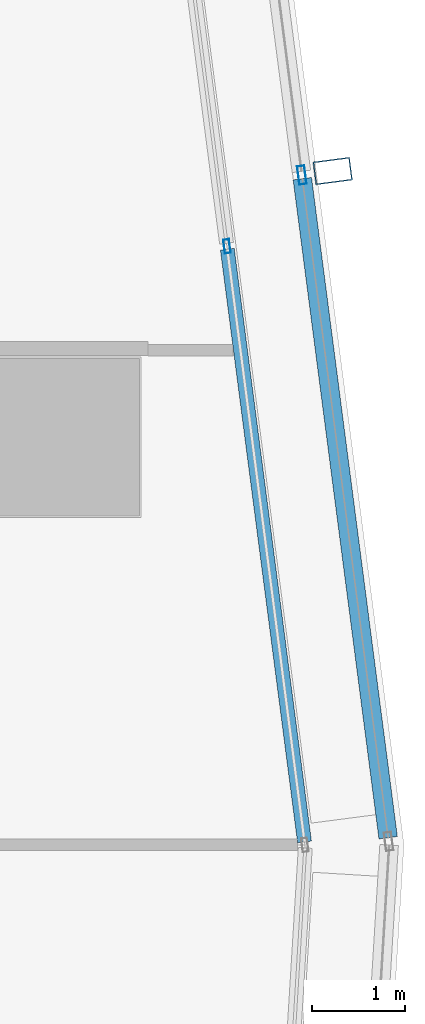
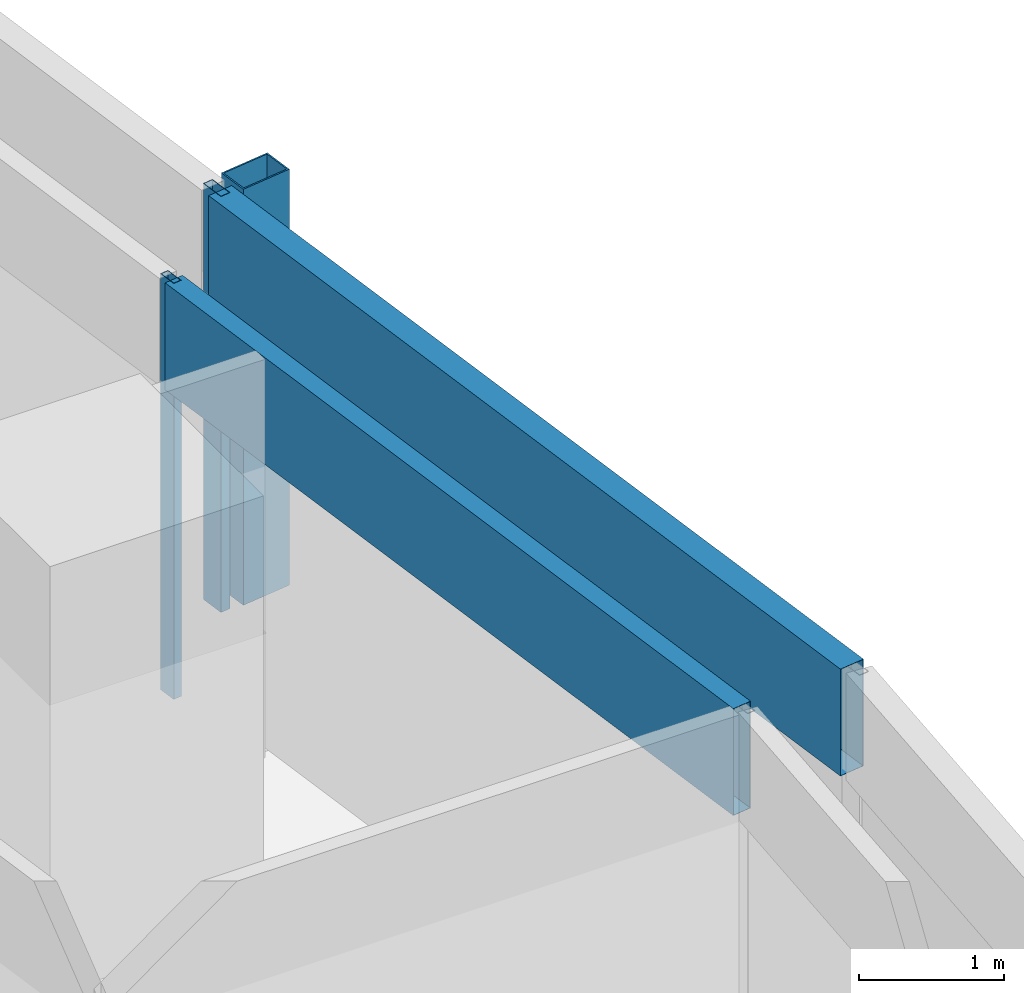
# One storey, part 26 of 40: 5 members, 2 elements without a shape of their own.
"""IFC4 building model written with IfcOpenShell, lengths in metres."""

from ifc_helpers import new_model, si_unit, direction, frame, origin, origin_2d, place, context, subcontext, project, spatial, hollow_rectangle, extrude, material, material_profile, profile_set, type_object, element, aggregate, save


model = new_model("IFC4")

# Units and contexts
model_context = context("Model", 3, precision=1e-05, world=origin(), true_north=direction((0.0, 1.0)))
body_context = subcontext(model_context, "Body", "Model", "MODEL_VIEW")
ifc_project = project(units=[si_unit("LENGTHUNIT", "METRE"), si_unit("AREAUNIT", "SQUARE_METRE"), si_unit("VOLUMEUNIT", "CUBIC_METRE"), si_unit("PLANEANGLEUNIT", "RADIAN"), si_unit("MASSUNIT", "GRAM", prefix="KILO")], contexts=[model_context])

# Site, building, storey
site_placement = place(None, origin())
site = spatial("IfcSite", under=ifc_project, at=site_placement, CompositionType="ELEMENT")
building_placement = place(site_placement, origin())
building = spatial("IfcBuilding", under=site, at=building_placement, Name="Rekha Terrace Tower", CompositionType="ELEMENT")
storey_placement = place(building_placement, frame((0.0, 0.0, 136.550048828125)))
storey = spatial("IfcBuildingStorey", under=building, at=storey_placement, Name="L34", CompositionType="ELEMENT", Elevation=136.550048828125)

# Curtain wall, member
ifc_material_1 = material(Name="Aluminium framing", Category="aluminium")
curtain_wall_type_1 = type_object("IfcCurtainWallType", Name="CW2 double skin outer glazing", PredefinedType="USERDEFINED", material=ifc_material_1)
curtain_wall_1_placement = place(storey_placement, origin())
curtain_wall_1 = element("IfcCurtainWall", 1, at=curtain_wall_1_placement, inside=storey, type_object=curtain_wall_type_1, Name="CW2 double skin outer glazing", ObjectType="DOUBLE SKIN OUTER GLAZING", PredefinedType="USERDEFINED")
ifc_material_2 = material(Name="Steel S355 with fluorocarbon finish", Category="steel")
ifc_material_profile_1 = material_profile(ifc_material_2, hollow_rectangle(XDim=0.25, YDim=0.39990234375, WallThickness=0.012451171875, at=origin_2d()), Name="RHS400x250x12.5")
ifc_profile_set_1 = profile_set([ifc_material_profile_1], Name="Steel S355 with fluorocarbon finish")
member_type_1 = type_object("IfcMemberType", Name="BL1 facade blade RHS 400 x 250", PredefinedType="USERDEFINED", material=ifc_profile_set_1)
member_1_placement = place(storey_placement, frame((70.131103515625, 53.2685546875, 0.0), z_axis=(0.0, 0.0, 1.0), x_axis=(-0.129119247945, 0.991629073702, 0.0)))
member_1 = element("IfcMember", 2, at=member_1_placement, type_object=member_type_1, Name="Facade blade", ObjectType="FACADE BLADE", PredefinedType="USERDEFINED", context=body_context, shape_type="SweptSolid", body=[
    extrude(hollow_rectangle(XDim=0.25, YDim=0.39990234375, WallThickness=0.012451171875, at=origin_2d()), origin(), (0.0, 0.0, 1.0), 3.5),
])

# Curtain wall, members
curtain_wall_type_2 = type_object("IfcCurtainWallType", Name="CW1 double skin inner glazing", PredefinedType="USERDEFINED", material=ifc_material_1)
curtain_wall_2_placement = place(storey_placement, origin())
curtain_wall_2 = element("IfcCurtainWall", 3, at=curtain_wall_2_placement, inside=storey, type_object=curtain_wall_type_2, Name="CW1 double skin inner glazing", ObjectType="DOUBLE SKIN INNER GLAZING", PredefinedType="USERDEFINED")
ifc_material_3 = material(Name="Aluminium mullion section", Category="aluminium")
ifc_material_profile_2 = material_profile(ifc_material_3, hollow_rectangle(XDim=0.06494140625, YDim=0.14990234375, WallThickness=0.00390625, at=origin_2d()), Name="AL RHS 65x150")
ifc_profile_set_2 = profile_set([ifc_material_profile_2], Name="Aluminium mullion section")
member_type_2 = type_object("IfcMemberType", Name="CW1 mullion RHS 65 x 150", PredefinedType="MULLION", material=ifc_profile_set_2)
member_2_placement = place(storey_placement, frame((68.9912109375, 52.45751953125, 0.0), z_axis=(0.0, 0.0, 1.0), x_axis=(-0.991629186237, -0.129118383675, 0.0)))
member_2 = element("IfcMember", 4, at=member_2_placement, type_object=member_type_2, Name="CW1 mullion 2", PredefinedType="MULLION", context=body_context, shape_type="SweptSolid", body=[
    extrude(hollow_rectangle(XDim=0.06494140625, YDim=0.14990234375, WallThickness=0.00390625, at=origin_2d()), origin(), (0.0, 0.0, 1.0), 3.5),
])
ifc_material_4 = material(Name="Insulated aluminium spandrel box", Category="aluminium")
ifc_material_profile_3 = material_profile(ifc_material_4, hollow_rectangle(XDim=0.14990234375, YDim=0.89990234375, WallThickness=0.0029296875, at=origin_2d()), Name="AL SPANDREL BOX 150x900")
ifc_profile_set_3 = profile_set([ifc_material_profile_3], Name="Insulated aluminium spandrel box")
member_type_3 = type_object("IfcMemberType", Name="CW1 spandrel transom 150 x 900", PredefinedType="USERDEFINED", material=ifc_profile_set_3)
member_3_placement = place(storey_placement, frame((69.827392578125, 46.0361328125, 3.050048828125), z_axis=(-0.129135072997, 0.991627013005, 0.0), x_axis=(-0.991627013005, -0.129135072997, 0.0)))
member_3 = element("IfcMember", 5, at=member_3_placement, type_object=member_type_3, Name="CW1 spandrel transom 1", ObjectType="TRANSOM", PredefinedType="USERDEFINED", context=body_context, shape_type="SweptSolid", body=[
    extrude(hollow_rectangle(XDim=0.14990234375, YDim=0.89990234375, WallThickness=0.0029296875, at=origin_2d()), origin(), (0.0, 0.0, 1.0), 6.443115234375),
])
aggregate(curtain_wall_2, [member_2, member_3])

# Member
ifc_material_profile_4 = material_profile(ifc_material_3, hollow_rectangle(XDim=0.080078125, YDim=0.199951171875, WallThickness=0.00390625, at=origin_2d()), Name="AL RHS 80x200")
ifc_profile_set_4 = profile_set([ifc_material_profile_4], Name="Aluminium mullion section")
member_type_4 = type_object("IfcMemberType", Name="CW2 mullion RHS 80 x 200", PredefinedType="MULLION", material=ifc_profile_set_4)
member_4_placement = place(storey_placement, frame((69.798828125, 53.225341796875, 0.0), z_axis=(0.0, 0.0, 1.0), x_axis=(-0.991629186244, -0.129118383623, 0.0)))
member_4 = element("IfcMember", 6, at=member_4_placement, type_object=member_type_4, Name="CW2 mullion 2", PredefinedType="MULLION", context=body_context, shape_type="SweptSolid", body=[
    extrude(hollow_rectangle(XDim=0.080078125, YDim=0.199951171875, WallThickness=0.00390625, at=origin_2d()), origin(), (0.0, 0.0, 1.0), 3.5),
])

ifc_material_profile_5 = material_profile(ifc_material_4, hollow_rectangle(XDim=0.199951171875, YDim=0.89990234375, WallThickness=0.0029296875, at=origin_2d()), Name="AL SPANDREL BOX 200x900")
ifc_profile_set_5 = profile_set([ifc_material_profile_5], Name="Insulated aluminium spandrel box")
member_type_5 = type_object("IfcMemberType", Name="CW2 spandrel transom 200 x 900", PredefinedType="USERDEFINED", material=ifc_profile_set_5)
member_5_placement = place(storey_placement, frame((70.72900390625, 46.081787109375, 3.050048828125), z_axis=(-0.129125015962, 0.991628322635, 0.0), x_axis=(-0.991628322635, -0.129125015962, 0.0)))
member_5 = element("IfcMember", 7, at=member_5_placement, type_object=member_type_5, Name="CW2 spandrel transom 1", ObjectType="TRANSOM", PredefinedType="USERDEFINED", context=body_context, shape_type="SweptSolid", body=[
    extrude(hollow_rectangle(XDim=0.199951171875, YDim=0.89990234375, WallThickness=0.0029296875, at=origin_2d()), origin(), (0.0, 0.0, 1.0), 7.1640625),
])

aggregate(curtain_wall_1, [member_4, member_5, member_1])

save(model, "model.ifc")
